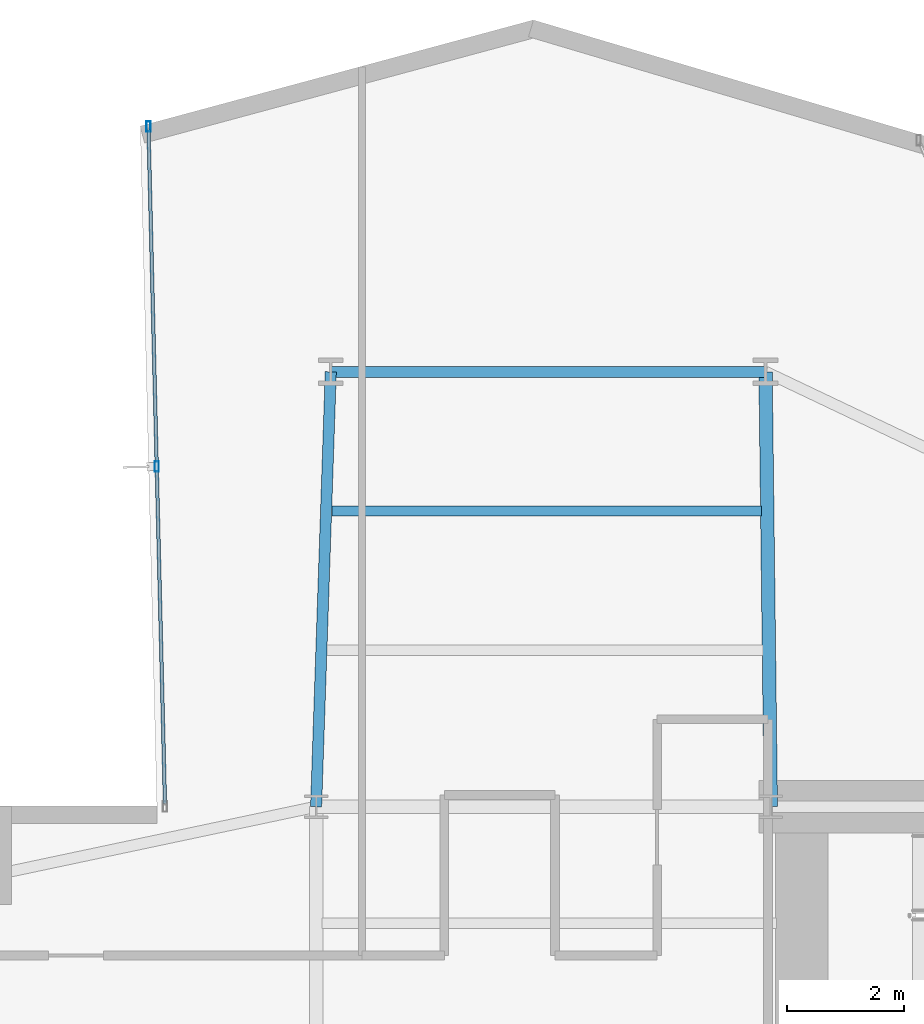
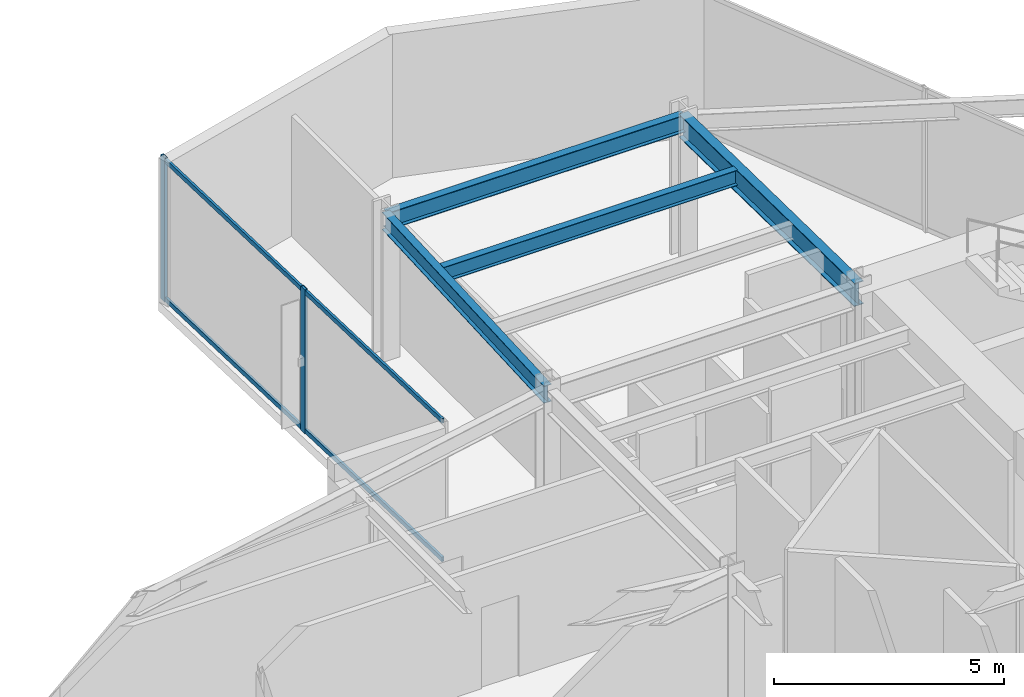
# One storey, part 16 of 24: 4 beams, 4 members, 1 element without a shape of its own.
"""IFC4 building model written with IfcOpenShell, lengths in metres."""

from ifc_helpers import new_model, si_unit, direction, frame, origin, origin_2d, place, context, subcontext, project, spatial, hollow_rectangle, i_section, extrude, material, layer, layer_set, material_profile, profile_set, type_object, element, aggregate, save


model = new_model("IFC4")

# Units and contexts
model_context = context("Model", 3, precision=1e-05, world=origin(), true_north=direction((0.0, 1.0)))
body_context = subcontext(model_context, "Body", "Model", "MODEL_VIEW")
ifc_project = project(units=[si_unit("LENGTHUNIT", "METRE"), si_unit("AREAUNIT", "SQUARE_METRE"), si_unit("VOLUMEUNIT", "CUBIC_METRE"), si_unit("PLANEANGLEUNIT", "RADIAN"), si_unit("MASSUNIT", "GRAM", prefix="KILO")], contexts=[model_context])

# Site, building, storey
site_placement = place(None, origin())
site = spatial("IfcSite", under=ifc_project, at=site_placement, CompositionType="ELEMENT")
building_placement = place(site_placement, origin())
building = spatial("IfcBuilding", under=site, at=building_placement, Name="Veymaron Broadcast Tower", CompositionType="ELEMENT")
storey_placement = place(building_placement, frame((0.0, 0.0, 78.300048828125)))
storey = spatial("IfcBuildingStorey", under=building, at=storey_placement, Name="L17", CompositionType="ELEMENT", Elevation=78.300048828125)

# Beams
ifc_material_1 = material(Name="Structural steel ASTM A992 Gr 50", Category="steel")
ifc_material_profile_1 = material_profile(ifc_material_1, i_section(OverallWidth=0.22998046875, OverallDepth=0.616943359375, WebThickness=0.01318359375, FlangeThickness=0.022216796875, at=origin_2d()), Name="W610X140")
ifc_profile_set_1 = profile_set([ifc_material_profile_1], Name="Structural steel ASTM A992 Gr 50")
beam_type_1 = type_object("IfcBeamType", Name="BM-FG1", PredefinedType="BEAM", material=ifc_profile_set_1)
beam_1_placement = place(storey_placement, frame((39.0, 32.0, 3.50146484375), z_axis=(-0.012075307518, 0.999927090816, 0.0), x_axis=(-0.999927090816, -0.012075307518, 0.0)))
element("IfcBeam", 1, at=beam_1_placement, inside=storey, type_object=beam_type_1, Name="L17 primary structural floor girder", PredefinedType="BEAM", context=body_context, shape_type="SweptSolid", body=[
    extrude(i_section(OverallWidth=0.22998046875, OverallDepth=0.616943359375, WebThickness=0.01318359375, FlangeThickness=0.022216796875, at=origin_2d()), origin(), (0.0, 0.0, 1.0), 7.46044921875),
])
ifc_material_profile_2 = material_profile(ifc_material_1, i_section(OverallWidth=0.177978515625, OverallDepth=0.406982421875, WebThickness=0.0078125, FlangeThickness=0.0126953125, at=origin_2d()), Name="W410X60")
ifc_profile_set_2 = profile_set([ifc_material_profile_2], Name="Structural steel ASTM A992 Gr 50")
beam_type_2 = type_object("IfcBeamType", Name="BM-JS1", PredefinedType="JOIST", material=ifc_profile_set_2)
beam_2_placement = place(storey_placement, frame((31.471435546875, 37.07275390625, 3.6064453125), z_axis=(1.0, 0.0, 0.0), x_axis=(0.0, 1.0, 0.0)))
element("IfcBeam", 2, at=beam_2_placement, inside=storey, type_object=beam_type_2, Name="L17 Arm-B secondary joist 2", PredefinedType="JOIST", context=body_context, shape_type="SweptSolid", body=[
    extrude(i_section(OverallWidth=0.177978515625, OverallDepth=0.406982421875, WebThickness=0.0078125, FlangeThickness=0.0126953125, at=origin_2d()), origin(), (0.0, 0.0, 1.0), 7.367431640625),
])
ifc_material_profile_3 = material_profile(ifc_material_1, i_section(OverallWidth=0.19091796875, OverallDepth=0.4599609375, WebThickness=0.010009765625, FlangeThickness=0.01611328125, at=origin_2d()), Name="W460X82")
ifc_profile_set_3 = profile_set([ifc_material_profile_3], Name="Structural steel ASTM A992 Gr 50")
beam_type_3 = type_object("IfcBeamType", Name="BM-SP1", PredefinedType="SPANDREL", material=ifc_profile_set_3)
beam_3_placement = place(storey_placement, frame((31.199951171875, 32.0, 3.579833984375), z_axis=(0.033754807852, 0.999430144106, 0.0), x_axis=(-0.999430144106, 0.033754807852, 0.0)))
element("IfcBeam", 3, at=beam_3_placement, inside=storey, type_object=beam_type_3, Name="L17 primary structural floor girder", PredefinedType="SPANDREL", context=body_context, shape_type="SweptSolid", body=[
    extrude(i_section(OverallWidth=0.19091796875, OverallDepth=0.4599609375, WebThickness=0.010009765625, FlangeThickness=0.01611328125, at=origin_2d()), origin(), (0.0, 0.0, 1.0), 7.464111328125),
])
beam_4_placement = place(storey_placement, frame((31.451904296875, 39.4599609375, 3.579833984375), z_axis=(1.0, 0.0, 0.0), x_axis=(0.0, 1.0, 0.0)))
element("IfcBeam", 4, at=beam_4_placement, inside=storey, type_object=beam_type_3, Name="L17 primary structural floor girder", PredefinedType="SPANDREL", context=body_context, shape_type="SweptSolid", body=[
    extrude(i_section(OverallWidth=0.19091796875, OverallDepth=0.4599609375, WebThickness=0.010009765625, FlangeThickness=0.01611328125, at=origin_2d()), origin(), (0.0, 0.0, 1.0), 7.4580078125),
])

# Curtain wall, members
ifc_material_2 = material(Name="Anodised aluminium AA 6063-T6 and laminated low-E dark glass", Category="aluminium")
ifc_layer = layer(ifc_material_2, 0.179931640625)
ifc_layer_set = layer_set([ifc_layer], Name="Anodised aluminium AA 6063-T6 and laminated low-E dark glass")
curtain_wall_type = type_object("IfcCurtainWallType", Name="CW-SYS-02", PredefinedType="NOTDEFINED", material=ifc_layer_set)
curtain_wall_placement = place(storey_placement, origin())
curtain_wall = element("IfcCurtainWall", 5, at=curtain_wall_placement, inside=storey, type_object=curtain_wall_type, Name="L17 dark-glass curtain wall CW-L17-E8-1", PredefinedType="NOTDEFINED")
ifc_material_3 = material(Name="Anodised aluminium AA 6063-T6", Category="aluminium")
ifc_material_profile_4 = material_profile(ifc_material_3, hollow_rectangle(XDim=0.074951171875, YDim=0.179931640625, WallThickness=0.0048828125, at=origin_2d()), Name="AL180X75X5")
ifc_profile_set_4 = profile_set([ifc_material_profile_4], Name="Anodised aluminium AA 6063-T6")
member_type_1 = type_object("IfcMemberType", Name="CW-MUL-02", PredefinedType="MULLION", material=ifc_profile_set_4)
member_1_placement = place(storey_placement, frame((28.323974609375, 43.66943359375, 0.0), z_axis=(0.0, 0.0, 1.0), x_axis=(1.0, 0.0, 0.0)))
member_1 = element("IfcMember", 6, at=member_1_placement, type_object=member_type_1, Name="CW-L17-E8-1 mullion 0", PredefinedType="MULLION", context=body_context, shape_type="SweptSolid", body=[
    extrude(hollow_rectangle(XDim=0.074951171875, YDim=0.179931640625, WallThickness=0.0048828125, at=origin_2d()), origin(), (0.0, 0.0, 1.0), 3.81005859375),
])
member_2_placement = place(storey_placement, frame((28.46630859375, 37.83642578125, 0.0), z_axis=(0.0, 0.0, 1.0), x_axis=(1.0, 0.0, 0.0)))
member_2 = element("IfcMember", 7, at=member_2_placement, type_object=member_type_1, Name="CW-L17-E8-1 mullion 1", PredefinedType="MULLION", context=body_context, shape_type="SweptSolid", body=[
    extrude(hollow_rectangle(XDim=0.074951171875, YDim=0.179931640625, WallThickness=0.0048828125, at=origin_2d()), origin(), (0.0, 0.0, 1.0), 3.81005859375),
])
ifc_material_profile_5 = material_profile(ifc_material_3, hollow_rectangle(XDim=0.06005859375, YDim=0.1201171875, WallThickness=0.00390625, at=origin_2d()), Name="AL120X60X4")
ifc_profile_set_5 = profile_set([ifc_material_profile_5], Name="Anodised aluminium AA 6063-T6")
member_type_2 = type_object("IfcMemberType", Name="CW-TRN-02", PredefinedType="USERDEFINED", material=ifc_profile_set_5)
member_3_placement = place(storey_placement, frame((28.3251953125, 43.619384765625, 0.070068359375), z_axis=(0.02439430893, -0.999702414567, 0.0), x_axis=(0.999702414567, 0.02439430893, 0.0)))
member_3 = element("IfcMember", 8, at=member_3_placement, type_object=member_type_2, Name="CW-L17-E8-1 transom B", ObjectType="TRANSOM", PredefinedType="USERDEFINED", context=body_context, shape_type="SweptSolid", body=[
    extrude(hollow_rectangle(XDim=0.06005859375, YDim=0.1201171875, WallThickness=0.00390625, at=origin_2d()), origin(), (0.0, 0.0, 1.0), 11.5693359375),
])
member_4_placement = place(storey_placement, frame((28.3251953125, 43.619384765625, 3.739990234375), z_axis=(0.02439430893, -0.999702414567, 0.0), x_axis=(0.999702414567, 0.02439430893, 0.0)))
member_4 = element("IfcMember", 9, at=member_4_placement, type_object=member_type_2, Name="CW-L17-E8-1 transom T", ObjectType="TRANSOM", PredefinedType="USERDEFINED", context=body_context, shape_type="SweptSolid", body=[
    extrude(hollow_rectangle(XDim=0.06005859375, YDim=0.1201171875, WallThickness=0.00390625, at=origin_2d()), origin(), (0.0, 0.0, 1.0), 11.5693359375),
])
aggregate(curtain_wall, [member_1, member_2, member_3, member_4])

save(model, "model.ifc")
